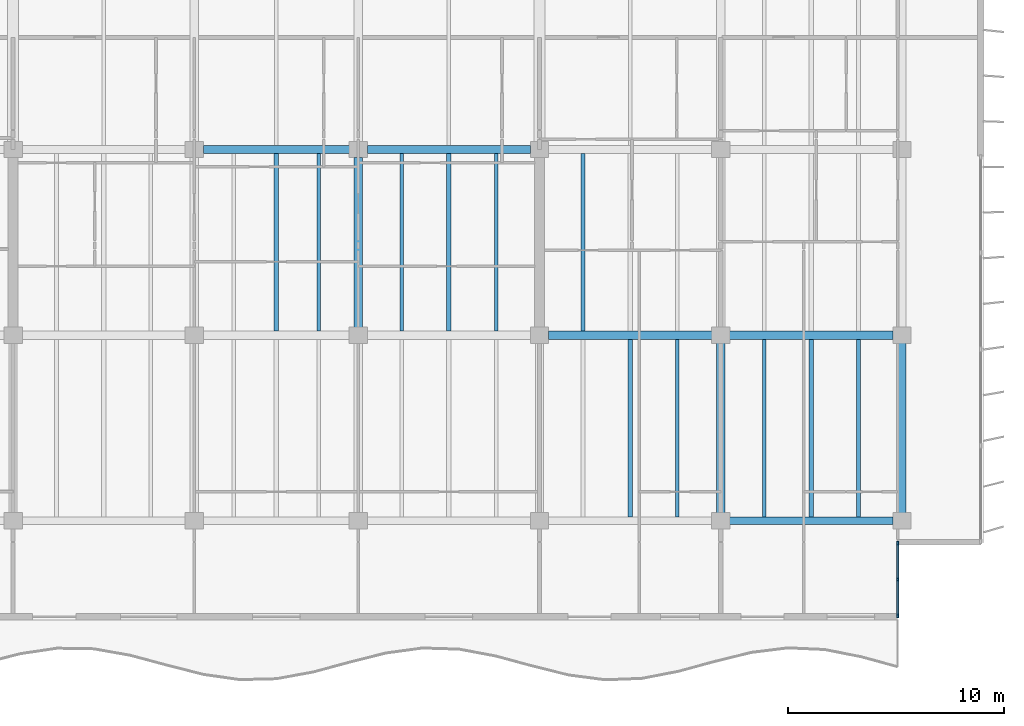
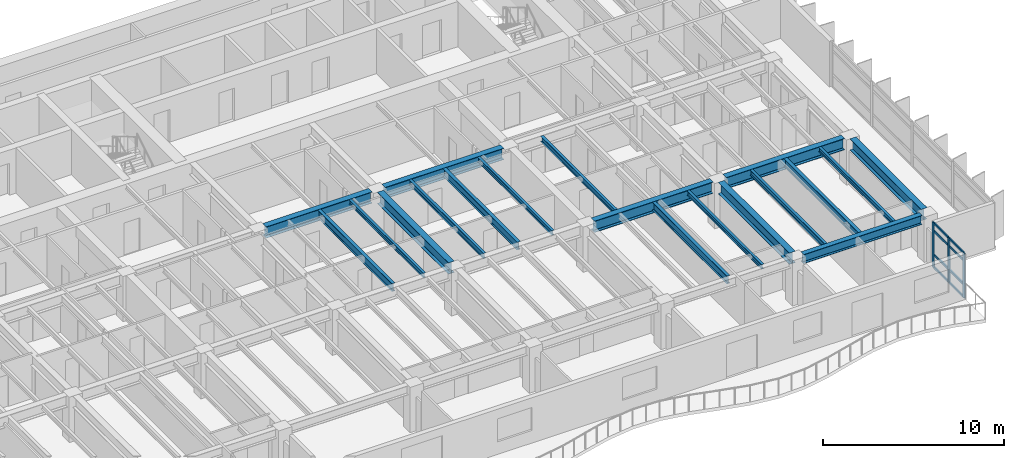
# One storey, part 4 of 18: 19 beams, 11 members, 1 element without a shape of its own.
"""IFC4 building model written with IfcOpenShell, lengths in metres."""

import ifcopenshell
import ifcopenshell.guid

model = None  # the IFC model being written
_history = None  # IfcOwnerHistory: only IFC2X3 demands one
_inside = {}  # id of a spatial element -> (the spatial element, [elements in it])
_under = {}  # id of a project, library or spatial element -> (it, [spatial elements below it])
_declared = {}  # id of a project -> (the project, [libraries it declares])
_typed = {}  # id of a type object -> (the type object, [elements of that type])
_made_of = {}  # id of a material, layer set ... -> (it, [elements and type objects made of it])


def new_model(schema):
    """Start an empty IFC model of exactly this schema.

    Asked for "IFC4X3", IfcOpenShell would pick the latest addendum, in which some entities
    have other attributes; the version numbers below select the first issue.
    IFC2X3 requires an IfcOwnerHistory on every rooted entity: one is made here for all.
    """
    global model, _history
    if schema == "IFC4X3":
        model = ifcopenshell.file(schema_version=(4, 3, 0, 0))
    else:
        model = ifcopenshell.file(schema=schema)
    _inside.clear()
    _under.clear()
    _declared.clear()
    _typed.clear()
    _made_of.clear()
    _history = None
    if model.schema == "IFC2X3":
        org = make("IfcOrganization", Name="unknown")
        user = make(
            "IfcPersonAndOrganization",
            ThePerson=make("IfcPerson", FamilyName="unknown"),
            TheOrganization=org,
        )
        app = make(
            "IfcApplication",
            ApplicationDeveloper=org,
            Version="unknown",
            ApplicationFullName="unknown",
            ApplicationIdentifier="unknown",
        )
        _history = make(
            "IfcOwnerHistory",
            OwningUser=user,
            OwningApplication=app,
            ChangeAction="ADDED",
            CreationDate=0,
        )
    return model


def make(cls, **values):
    """One entity of the class cls with the attributes given. An attribute that is None is left unset."""
    return model.create_entity(
        cls, **{name: value for name, value in values.items() if value is not None}
    )


def rooted(cls, **values):
    """An entity with a GlobalId (a new one), such as an element, a storey or a relation."""
    return make(cls, GlobalId=ifcopenshell.guid.new(), OwnerHistory=_history, **values)


def si_unit(unit_type, name, prefix=None):
    """IfcSIUnit, for example si_unit("LENGTHUNIT", "METRE", prefix="MILLI")."""
    return make("IfcSIUnit", UnitType=unit_type, Prefix=prefix, Name=name)


def assignment(units):
    """IfcUnitAssignment: the units of a project."""
    return None if units is None else make("IfcUnitAssignment", Units=units)


def point(xyz):
    """IfcCartesianPoint."""
    return None if xyz is None else make("IfcCartesianPoint", Coordinates=xyz)


def direction(xyz):
    """IfcDirection."""
    return None if xyz is None else make("IfcDirection", DirectionRatios=xyz)


def frame(location, z_axis=None, x_axis=None):
    """IfcAxis2Placement3D, a coordinate frame: its origin and axes. An axis left out is left unset."""
    return make(
        "IfcAxis2Placement3D",
        Location=point(location),
        Axis=direction(z_axis),
        RefDirection=direction(x_axis),
    )


def frame_2d(location, x_axis=None):
    """IfcAxis2Placement2D, a coordinate frame in the plane: its origin and x axis."""
    return make(
        "IfcAxis2Placement2D", Location=point(location), RefDirection=direction(x_axis)
    )


def origin():
    """The frame at (0, 0, 0) with its axes left unset."""
    return frame((0.0, 0.0, 0.0))


def origin_2d():
    """The frame at (0, 0) in the plane with its x axis left unset."""
    return frame_2d((0.0, 0.0))


def place(relative_to, where):
    """IfcLocalPlacement: puts the frame where relative to a parent placement (None: the world)."""
    return make(
        "IfcLocalPlacement", PlacementRelTo=relative_to, RelativePlacement=where
    )


def context(
    kind, dimensions, precision=None, world=None, true_north=None, identifier=None
):
    """IfcGeometricRepresentationContext, for example the 3D "Model" context."""
    return make(
        "IfcGeometricRepresentationContext",
        ContextIdentifier=identifier,
        ContextType=kind,
        CoordinateSpaceDimension=dimensions,
        Precision=precision,
        WorldCoordinateSystem=world,
        TrueNorth=true_north,
    )


def subcontext(parent, identifier, kind, view, scale=None):
    """IfcGeometricRepresentationSubContext, for example "Body" below "Model"."""
    return make(
        "IfcGeometricRepresentationSubContext",
        ContextIdentifier=identifier,
        ContextType=kind,
        ParentContext=parent,
        TargetScale=scale,
        TargetView=view,
    )


def project(units=None, contexts=None):
    """IfcProject with its units and contexts."""
    return rooted(
        "IfcProject",
        Name="project",
        RepresentationContexts=contexts,
        UnitsInContext=assignment(units),
    )


def spatial(cls, under=None, at=None, **own):
    """A site, building, storey or space (cls), placed at a placement, below another one or the project."""
    s = rooted(cls, ObjectPlacement=at, **own)
    if under is not None:
        _under.setdefault(under.id(), (under, []))[1].append(s)
    return s


def profile(cls, at=None, kind="AREA", **sizes):
    """A parametric profile (cls). Its sizes go by their IFC names, for example OverallWidth=200.0."""
    return make(cls, ProfileType=kind, Position=at, **sizes)


def rectangle(**sizes):
    """IfcRectangleProfileDef."""
    return profile("IfcRectangleProfileDef", **sizes)


def i_section(**sizes):
    """IfcIShapeProfileDef."""
    return profile("IfcIShapeProfileDef", **sizes)


def extrude(swept, where, along, depth):
    """IfcExtrudedAreaSolid: the profile swept, set in the frame where, extruded along a direction by depth."""
    return make(
        "IfcExtrudedAreaSolid",
        SweptArea=swept,
        Position=where,
        ExtrudedDirection=direction(along),
        Depth=depth,
    )


def shape(context_of_items, identifier, shape_type, items):
    """IfcShapeRepresentation: the items that make up one representation, for example the "Body"."""
    return make(
        "IfcShapeRepresentation",
        ContextOfItems=context_of_items,
        RepresentationIdentifier=identifier,
        RepresentationType=shape_type,
        Items=items,
    )


def material(Name=None, Category=None):
    """IfcMaterial."""
    return make("IfcMaterial", Name=Name, Category=Category)


def layer(
    of_material, thickness, ventilated=None, Name=None, Category=None, Priority=None
):
    """IfcMaterialLayer: one layer of a wall or slab, of a material (None: an air gap)."""
    return make(
        "IfcMaterialLayer",
        Material=of_material,
        LayerThickness=thickness,
        IsVentilated=ventilated,
        Name=Name,
        Category=Category,
        Priority=Priority,
    )


def layer_set(layers, Name=None):
    """IfcMaterialLayerSet."""
    return make("IfcMaterialLayerSet", MaterialLayers=layers, LayerSetName=Name)


def material_profile(
    of_material, cross_section, Name=None, Category=None, Priority=None
):
    """IfcMaterialProfile: a cross section and its material."""
    return make(
        "IfcMaterialProfile",
        Name=Name,
        Material=of_material,
        Profile=cross_section,
        Priority=Priority,
        Category=Category,
    )


def profile_set(profiles, Name=None, composite=None):
    """IfcMaterialProfileSet."""
    return make(
        "IfcMaterialProfileSet",
        Name=Name,
        MaterialProfiles=profiles,
        CompositeProfile=composite,
    )


def made_of(thing, what):
    """Note that an element or type object is made of a material, layer set ...; save() writes the relation."""
    if what is not None:
        _made_of.setdefault(what.id(), (what, []))[1].append(thing)
    return thing


def type_object(cls, material=None, **own):
    """A type object (cls), such as IfcWallType, which elements share."""
    return made_of(rooted(cls, **own), material)


def element(
    cls,
    number,
    at=None,
    inside=None,
    cuts=None,
    type_object=None,
    material=None,
    context=None,
    identifier="Body",
    shape_type=None,
    held_by="IfcProductDefinitionShape",
    body=None,
    shapes=None,
    **own,
):
    """One element of the class cls, such as IfcWall. Its Tag is "e" and its number.

    at: its placement. inside: the storey or other place that contains it. cuts: it is an
    opening in that element (IfcRelVoidsElement). A single representation is given by context,
    identifier, shape_type and body (its items); several are given by shapes. held_by: the class
    of the entity that holds the representations. save() writes the other relations.
    """
    e = rooted(cls, Tag="e%d" % number, ObjectPlacement=at, **own)
    if body is not None:
        shapes = [shape(context, identifier, shape_type, body)]
    if shapes is not None:
        e.Representation = make(held_by, Representations=shapes)
    if inside is not None:
        _inside.setdefault(inside.id(), (inside, []))[1].append(e)
    if cuts is not None:
        rooted(
            "IfcRelVoidsElement", RelatingBuildingElement=cuts, RelatedOpeningElement=e
        )
    if type_object is not None:
        _typed.setdefault(type_object.id(), (type_object, []))[1].append(e)
    return made_of(e, material)


def aggregate(whole, parts):
    """IfcRelAggregates: a whole, such as a stair, and the parts it consists of."""
    return rooted("IfcRelAggregates", RelatingObject=whole, RelatedObjects=parts)


def save(model, path):
    """Write the relations noted so far, then the file.

    IfcRelAggregates (storeys below a building ...), IfcRelContainedInSpatialStructure (elements
    in a storey), IfcRelDefinesByType, IfcRelAssociatesMaterial and IfcRelDeclares: one each for
    every whole, place, type object, material and project.
    """
    for whole, parts in _under.values():
        aggregate(whole, parts)
    for where, things in _inside.values():
        rooted(
            "IfcRelContainedInSpatialStructure",
            RelatedElements=things,
            RelatingStructure=where,
        )
    for kind, things in _typed.values():
        rooted("IfcRelDefinesByType", RelatedObjects=things, RelatingType=kind)
    for what, things in _made_of.values():
        rooted("IfcRelAssociatesMaterial", RelatedObjects=things, RelatingMaterial=what)
    for by, libraries in _declared.values():
        rooted("IfcRelDeclares", RelatingContext=by, RelatedDefinitions=libraries)
    model.write(path)


model = new_model("IFC4")

# Units and contexts
model_context = context("Model", 3, precision=1e-05, world=origin(), true_north=direction((0.0, 1.0)))
body_context = subcontext(model_context, "Body", "Model", "MODEL_VIEW")
ifc_project = project(units=[si_unit("LENGTHUNIT", "METRE"), si_unit("AREAUNIT", "SQUARE_METRE"), si_unit("VOLUMEUNIT", "CUBIC_METRE"), si_unit("PLANEANGLEUNIT", "RADIAN"), si_unit("MASSUNIT", "GRAM", prefix="KILO")], contexts=[model_context])

# Site, building, storey
site_placement = place(None, origin())
site = spatial("IfcSite", under=ifc_project, at=site_placement, CompositionType="ELEMENT")
building_placement = place(site_placement, origin())
building = spatial("IfcBuilding", under=site, at=building_placement, Name="Caelmar Bay Residences", CompositionType="ELEMENT")
storey_placement = place(building_placement, frame((0.0, 0.0, 177.0)))
storey = spatial("IfcBuildingStorey", under=building, at=storey_placement, Name="L49", CompositionType="ELEMENT", Elevation=177.0)

# Beams
ifc_material_1 = material(Name="Steel ASTM A992 Grade 50", Category="steel")
ifc_material_profile_1 = material_profile(ifc_material_1, i_section(OverallWidth=0.381103515625, OverallDepth=0.77197265625, WebThickness=0.0166015625, FlangeThickness=0.027099609375, FilletRadius=0.0166015625, at=origin_2d()), Name="W30X173")
ifc_profile_set_1 = profile_set([ifc_material_profile_1], Name="Steel ASTM A992 Grade 50")
beam_type_1 = type_object("IfcBeamType", Name="BM-GRD-W30X173", PredefinedType="BEAM", material=ifc_profile_set_1)
for number, where, z_axis, x_axis, name in (
    (1, (51.514892578125, 20.800048828125, 2.6640625), (1.0, 0.0, 0.0), (0.0, 1.0, 0.0), "L49 East-West Girder Y=20.80 (51.1-59.5)"),
    (2, (59.9150390625, 20.800048828125, 2.6640625), (1.0, 0.0, 0.0), (0.0, 1.0, 0.0), "L49 East-West Girder Y=20.80 (59.5-67.9)"),
):
    element("IfcBeam", number, at=place(storey_placement, frame(where, z_axis=z_axis, x_axis=x_axis)), inside=storey, type_object=beam_type_1, Name=name, PredefinedType="BEAM", context=body_context, shape_type="SweptSolid", body=[
        extrude(i_section(OverallWidth=0.381103515625, OverallDepth=0.77197265625, WebThickness=0.0166015625, FlangeThickness=0.027099609375, FilletRadius=0.0166015625, at=origin_2d()), origin(), (0.0, 0.0, 1.0), 7.570068359375),
    ])
beam_1_placement = place(storey_placement, frame((35.514892578125, 29.39990234375, 2.6640625), z_axis=(1.0, 0.0, 0.0), x_axis=(0.0, 1.0, 0.0)))
element("IfcBeam", 3, at=beam_1_placement, inside=storey, type_object=beam_type_1, Name="L49 East-West Girder Y=29.40 (35.1-42.7)", PredefinedType="BEAM", context=body_context, shape_type="SweptSolid", body=[
    extrude(i_section(OverallWidth=0.381103515625, OverallDepth=0.77197265625, WebThickness=0.0166015625, FlangeThickness=0.027099609375, FilletRadius=0.0166015625, at=origin_2d()), origin(), (0.0, 0.0, 1.0), 6.77001953125),
])
beam_2_placement = place(storey_placement, frame((43.114990234375, 29.39990234375, 2.6640625), z_axis=(1.0, 0.0, 0.0), x_axis=(0.0, 1.0, 0.0)))
element("IfcBeam", 4, at=beam_2_placement, inside=storey, type_object=beam_type_1, Name="L49 East-West Girder Y=29.40 (42.7-51.1)", PredefinedType="BEAM", context=body_context, shape_type="SweptSolid", body=[
    extrude(i_section(OverallWidth=0.381103515625, OverallDepth=0.77197265625, WebThickness=0.0166015625, FlangeThickness=0.027099609375, FilletRadius=0.0166015625, at=origin_2d()), origin(), (0.0, 0.0, 1.0), 7.570068359375),
])
beam_3_placement = place(storey_placement, frame((42.699951171875, 21.1650390625, 2.6640625), z_axis=(0.0, 1.0, 0.0), x_axis=(-1.0, 0.0, 0.0)))
element("IfcBeam", 5, at=beam_3_placement, inside=storey, type_object=beam_type_1, Name="L49 North-South Girder X=42.70 (20.8-29.4)", PredefinedType="BEAM", context=body_context, shape_type="SweptSolid", body=[
    extrude(i_section(OverallWidth=0.381103515625, OverallDepth=0.77197265625, WebThickness=0.0166015625, FlangeThickness=0.027099609375, FilletRadius=0.0166015625, at=origin_2d()), origin(), (0.0, 0.0, 1.0), 7.869873046875),
])
for number, where, z_axis, x_axis, name in (
    (6, (59.5, 12.56494140625, 2.6640625), (0.0, 1.0, 0.0), (-1.0, 0.0, 0.0), "L49 North-South Girder X=59.50 (12.2-20.8)"),
    (7, (67.89990234375, 12.56494140625, 2.6640625), (0.0, 1.0, 0.0), (-1.0, 0.0, 0.0), "L49 North-South Girder X=67.90 (12.2-20.8)"),
):
    element("IfcBeam", number, at=place(storey_placement, frame(where, z_axis=z_axis, x_axis=x_axis)), inside=storey, type_object=beam_type_1, Name=name, PredefinedType="BEAM", context=body_context, shape_type="SweptSolid", body=[
        extrude(i_section(OverallWidth=0.381103515625, OverallDepth=0.77197265625, WebThickness=0.0166015625, FlangeThickness=0.027099609375, FilletRadius=0.0166015625, at=origin_2d()), origin(), (0.0, 0.0, 1.0), 7.8701171875),
    ])
ifc_material_profile_2 = material_profile(ifc_material_1, i_section(OverallWidth=0.1650390625, OverallDepth=0.31005859375, WebThickness=0.005859375, FlangeThickness=0.009765625, FilletRadius=0.007568359375, at=origin_2d()), Name="W12X26")
ifc_profile_set_2 = profile_set([ifc_material_profile_2], Name="Steel ASTM A992 Grade 50")
beam_type_2 = type_object("IfcBeamType", Name="BM-JST-W12X26", PredefinedType="JOIST", material=ifc_profile_set_2)
for number, where, z_axis, x_axis, name in (
    (8, (57.48388671875, 12.362548828125, 2.89501953125), (0.0, 1.0, 0.0), (-1.0, 0.0, 0.0), "L49 Composite Floor Joist 18"),
    (9, (65.884033203125, 12.362548828125, 2.89501953125), (0.0, 1.0, 0.0), (-1.0, 0.0, 0.0), "L49 Composite Floor Joist 21"),
):
    element("IfcBeam", number, at=place(storey_placement, frame(where, z_axis=z_axis, x_axis=x_axis)), inside=storey, type_object=beam_type_2, Name=name, PredefinedType="JOIST", context=body_context, shape_type="SweptSolid", body=[
        extrude(i_section(OverallWidth=0.1650390625, OverallDepth=0.31005859375, WebThickness=0.005859375, FlangeThickness=0.009765625, FilletRadius=0.007568359375, at=origin_2d()), origin(), (0.0, 0.0, 1.0), 8.2470703125),
    ])
for number, where, z_axis, x_axis, name in (
    (10, (40.8759765625, 20.990478515625, 2.89501953125), (0.0, 1.0, 0.0), (-1.0, 0.0, 0.0), "L49 Composite Floor Joist 33"),
    (11, (49.083984375, 20.990478515625, 2.89501953125), (0.0, 1.0, 0.0), (-1.0, 0.0, 0.0), "L49 Composite Floor Joist 36"),
):
    element("IfcBeam", number, at=place(storey_placement, frame(where, z_axis=z_axis, x_axis=x_axis)), inside=storey, type_object=beam_type_2, Name=name, PredefinedType="JOIST", context=body_context, shape_type="SweptSolid", body=[
        extrude(i_section(OverallWidth=0.1650390625, OverallDepth=0.31005859375, WebThickness=0.005859375, FlangeThickness=0.009765625, FilletRadius=0.007568359375, at=origin_2d()), origin(), (0.0, 0.0, 1.0), 8.218994140625),
    ])
ifc_material_profile_3 = material_profile(ifc_material_1, i_section(OverallWidth=0.1708984375, OverallDepth=0.35595703125, WebThickness=0.007080078125, FlangeThickness=0.01171875, FilletRadius=0.007568359375, at=origin_2d()), Name="W14X34")
ifc_profile_set_3 = profile_set([ifc_material_profile_3], Name="Steel ASTM A992 Grade 50")
beam_type_3 = type_object("IfcBeamType", Name="BM-JST-W14X34", PredefinedType="JOIST", material=ifc_profile_set_3)
beam_4_placement = place(storey_placement, frame((61.51611328125, 12.362548828125, 2.8720703125), z_axis=(0.0, 1.0, 0.0), x_axis=(-1.0, 0.0, 0.0)))
element("IfcBeam", 12, at=beam_4_placement, inside=storey, type_object=beam_type_3, Name="L49 Composite Floor Joist 19", PredefinedType="JOIST", context=body_context, shape_type="SweptSolid", body=[
    extrude(i_section(OverallWidth=0.1708984375, OverallDepth=0.35595703125, WebThickness=0.007080078125, FlangeThickness=0.01171875, FilletRadius=0.007568359375, at=origin_2d()), origin(), (0.0, 0.0, 1.0), 8.2470703125),
])
for number, where, z_axis, x_axis, name in (
    (13, (44.716064453125, 20.990478515625, 2.8720703125), (0.0, 1.0, 0.0), (-1.0, 0.0, 0.0), "L49 Composite Floor Joist 34"),
    (14, (53.115966796875, 20.990478515625, 2.8720703125), (0.0, 1.0, 0.0), (-1.0, 0.0, 0.0), "L49 Composite Floor Joist 37"),
):
    element("IfcBeam", number, at=place(storey_placement, frame(where, z_axis=z_axis, x_axis=x_axis)), inside=storey, type_object=beam_type_3, Name=name, PredefinedType="JOIST", context=body_context, shape_type="SweptSolid", body=[
        extrude(i_section(OverallWidth=0.1708984375, OverallDepth=0.35595703125, WebThickness=0.007080078125, FlangeThickness=0.01171875, FilletRadius=0.007568359375, at=origin_2d()), origin(), (0.0, 0.0, 1.0), 8.218994140625),
    ])
ifc_material_profile_4 = material_profile(ifc_material_1, i_section(OverallWidth=0.2099609375, OverallDepth=0.535888671875, WebThickness=0.010986328125, FlangeThickness=0.017333984375, FilletRadius=0.0126953125, at=origin_2d()), Name="W21X68")
ifc_profile_set_4 = profile_set([ifc_material_profile_4], Name="Steel ASTM A992 Grade 50")
beam_type_4 = type_object("IfcBeamType", Name="BM-JST-W21X68", PredefinedType="JOIST", material=ifc_profile_set_4)
for number, where, z_axis, x_axis, name in (
    (15, (55.300048828125, 12.362548828125, 2.781982421875), (0.0, 1.0, 0.0), (-1.0, 0.0, 0.0), "L49 Composite Floor Joist 17"),
    (16, (63.699951171875, 12.362548828125, 2.781982421875), (0.0, 1.0, 0.0), (-1.0, 0.0, 0.0), "L49 Composite Floor Joist 20"),
):
    element("IfcBeam", number, at=place(storey_placement, frame(where, z_axis=z_axis, x_axis=x_axis)), inside=storey, type_object=beam_type_4, Name=name, PredefinedType="JOIST", context=body_context, shape_type="SweptSolid", body=[
        extrude(i_section(OverallWidth=0.2099609375, OverallDepth=0.535888671875, WebThickness=0.010986328125, FlangeThickness=0.017333984375, FilletRadius=0.0126953125, at=origin_2d()), origin(), (0.0, 0.0, 1.0), 8.2470703125),
    ])
for number, where, z_axis, x_axis, name in (
    (17, (38.89990234375, 20.990478515625, 2.781982421875), (0.0, 1.0, 0.0), (-1.0, 0.0, 0.0), "L49 Composite Floor Joist 32"),
    (18, (46.89990234375, 20.990478515625, 2.781982421875), (0.0, 1.0, 0.0), (-1.0, 0.0, 0.0), "L49 Composite Floor Joist 35"),
):
    element("IfcBeam", number, at=place(storey_placement, frame(where, z_axis=z_axis, x_axis=x_axis)), inside=storey, type_object=beam_type_4, Name=name, PredefinedType="JOIST", context=body_context, shape_type="SweptSolid", body=[
        extrude(i_section(OverallWidth=0.2099609375, OverallDepth=0.535888671875, WebThickness=0.010986328125, FlangeThickness=0.017333984375, FilletRadius=0.0126953125, at=origin_2d()), origin(), (0.0, 0.0, 1.0), 8.218994140625),
    ])
ifc_material_profile_5 = material_profile(ifc_material_1, i_section(OverallWidth=0.324951171875, OverallDepth=0.616943359375, WebThickness=0.013916015625, FlangeThickness=0.021484375, FilletRadius=0.0126953125, at=origin_2d()), Name="W24X117")
ifc_profile_set_5 = profile_set([ifc_material_profile_5], Name="Steel ASTM A992 Grade 50")
beam_type_5 = type_object("IfcBeamType", Name="BM-SPN-W24X117", PredefinedType="SPANDREL", material=ifc_profile_set_5)
beam_5_placement = place(storey_placement, frame((59.9150390625, 12.199951171875, 2.741455078125), z_axis=(1.0, 0.0, 0.0), x_axis=(0.0, 1.0, 0.0)))
element("IfcBeam", 19, at=beam_5_placement, inside=storey, type_object=beam_type_5, Name="L49 East-West Girder Y=12.20 (59.5-67.9)", PredefinedType="SPANDREL", context=body_context, shape_type="SweptSolid", body=[
    extrude(i_section(OverallWidth=0.324951171875, OverallDepth=0.616943359375, WebThickness=0.013916015625, FlangeThickness=0.021484375, FilletRadius=0.0126953125, at=origin_2d()), origin(), (0.0, 0.0, 1.0), 7.570068359375),
])

# Curtain wall, members
ifc_material_2 = material(Name="Anodised bronze aluminium 6063-T6 and laminated glass", Category="aluminium")
ifc_layer = layer(ifc_material_2, 0.179931640625)
ifc_layer_set = layer_set([ifc_layer], Name="Anodised bronze aluminium 6063-T6 and laminated glass")
curtain_wall_type = type_object("IfcCurtainWallType", Name="CW6-NTC", PredefinedType="NOTDEFINED", material=ifc_layer_set)
curtain_wall_placement = place(storey_placement, origin())
curtain_wall = element("IfcCurtainWall", 20, at=curtain_wall_placement, inside=storey, type_object=curtain_wall_type, Name="CW6 curtain wall L49", PredefinedType="NOTDEFINED")
ifc_material_3 = material(Name="Anodised bronze aluminium 6063-T6", Category="aluminium")
ifc_material_profile_6 = material_profile(ifc_material_3, rectangle(XDim=0.080078125, YDim=0.179931640625, at=origin_2d()), Name="CWM-80X180")
ifc_profile_set_6 = profile_set([ifc_material_profile_6], Name="Anodised bronze aluminium 6063-T6")
member_type_1 = type_object("IfcMemberType", Name="CWM-180", PredefinedType="MULLION", material=ifc_profile_set_6)
member_1_placement = place(storey_placement, frame((67.699951171875, 7.7900390625, 0.0), z_axis=(0.0, 0.0, 1.0), x_axis=(-1.0, 0.0, 0.0)))
member_1 = element("IfcMember", 21, at=member_1_placement, type_object=member_type_1, Name="CW6 mullion 1", PredefinedType="MULLION", context=body_context, shape_type="SweptSolid", body=[
    extrude(rectangle(XDim=0.080078125, YDim=0.179931640625, at=origin_2d()), origin(), (0.0, 0.0, 1.0), 3.050048828125),
])
member_2_placement = place(storey_placement, frame((67.699951171875, 9.47509765625, 0.0), z_axis=(0.0, 0.0, 1.0), x_axis=(-1.0, 0.0, 0.0)))
member_2 = element("IfcMember", 22, at=member_2_placement, type_object=member_type_1, Name="CW6 mullion 2", PredefinedType="MULLION", context=body_context, shape_type="SweptSolid", body=[
    extrude(rectangle(XDim=0.080078125, YDim=0.179931640625, at=origin_2d()), origin(), (0.0, 0.0, 1.0), 3.050048828125),
])
member_3_placement = place(storey_placement, frame((67.699951171875, 11.159912109375, 0.0), z_axis=(0.0, 0.0, 1.0), x_axis=(-1.0, 0.0, 0.0)))
member_3 = element("IfcMember", 23, at=member_3_placement, type_object=member_type_1, Name="CW6 mullion 3", PredefinedType="MULLION", context=body_context, shape_type="SweptSolid", body=[
    extrude(rectangle(XDim=0.080078125, YDim=0.179931640625, at=origin_2d()), origin(), (0.0, 0.0, 1.0), 3.050048828125),
])
ifc_material_profile_7 = material_profile(ifc_material_3, rectangle(XDim=0.080078125, YDim=0.139892578125, at=origin_2d()), Name="CWT-80X140")
ifc_profile_set_7 = profile_set([ifc_material_profile_7], Name="Anodised bronze aluminium 6063-T6")
member_type_2 = type_object("IfcMemberType", Name="CWT-140", PredefinedType="NOTDEFINED", material=ifc_profile_set_7)
member_4_placement = place(storey_placement, frame((67.699951171875, 7.830078125, 0.0400390625), z_axis=(0.0, 1.0, 0.0), x_axis=(-1.0, 0.0, 0.0)))
member_4 = element("IfcMember", 24, at=member_4_placement, type_object=member_type_2, Name="CW6 transom 1.1", ObjectType="TRANSOM", PredefinedType="USERDEFINED", context=body_context, shape_type="SweptSolid", body=[
    extrude(rectangle(XDim=0.080078125, YDim=0.139892578125, at=origin_2d()), origin(), (0.0, 0.0, 1.0), 1.60498046875),
])
member_5_placement = place(storey_placement, frame((67.699951171875, 7.830078125, 0.89990234375), z_axis=(0.0, 1.0, 0.0), x_axis=(-1.0, 0.0, 0.0)))
member_5 = element("IfcMember", 25, at=member_5_placement, type_object=member_type_2, Name="CW6 transom 1.2", ObjectType="TRANSOM", PredefinedType="USERDEFINED", context=body_context, shape_type="SweptSolid", body=[
    extrude(rectangle(XDim=0.080078125, YDim=0.139892578125, at=origin_2d()), origin(), (0.0, 0.0, 1.0), 1.60498046875),
])
member_6_placement = place(storey_placement, frame((67.699951171875, 7.830078125, 2.5), z_axis=(0.0, 1.0, 0.0), x_axis=(-1.0, 0.0, 0.0)))
member_6 = element("IfcMember", 26, at=member_6_placement, type_object=member_type_2, Name="CW6 transom 1.3", ObjectType="TRANSOM", PredefinedType="USERDEFINED", context=body_context, shape_type="SweptSolid", body=[
    extrude(rectangle(XDim=0.080078125, YDim=0.139892578125, at=origin_2d()), origin(), (0.0, 0.0, 1.0), 1.60498046875),
])
member_7_placement = place(storey_placement, frame((67.699951171875, 7.830078125, 3.010009765625), z_axis=(0.0, 1.0, 0.0), x_axis=(-1.0, 0.0, 0.0)))
member_7 = element("IfcMember", 27, at=member_7_placement, type_object=member_type_2, Name="CW6 transom 1.4", ObjectType="TRANSOM", PredefinedType="USERDEFINED", context=body_context, shape_type="SweptSolid", body=[
    extrude(rectangle(XDim=0.080078125, YDim=0.139892578125, at=origin_2d()), origin(), (0.0, 0.0, 1.0), 1.60498046875),
])
member_8_placement = place(storey_placement, frame((67.699951171875, 9.514892578125, 0.0400390625), z_axis=(0.0, 1.0, 0.0), x_axis=(-1.0, 0.0, 0.0)))
member_8 = element("IfcMember", 28, at=member_8_placement, type_object=member_type_2, Name="CW6 transom 2.1", ObjectType="TRANSOM", PredefinedType="USERDEFINED", context=body_context, shape_type="SweptSolid", body=[
    extrude(rectangle(XDim=0.080078125, YDim=0.139892578125, at=origin_2d()), origin(), (0.0, 0.0, 1.0), 1.605224609375),
])
member_9_placement = place(storey_placement, frame((67.699951171875, 9.514892578125, 0.89990234375), z_axis=(0.0, 1.0, 0.0), x_axis=(-1.0, 0.0, 0.0)))
member_9 = element("IfcMember", 29, at=member_9_placement, type_object=member_type_2, Name="CW6 transom 2.2", ObjectType="TRANSOM", PredefinedType="USERDEFINED", context=body_context, shape_type="SweptSolid", body=[
    extrude(rectangle(XDim=0.080078125, YDim=0.139892578125, at=origin_2d()), origin(), (0.0, 0.0, 1.0), 1.605224609375),
])
member_10_placement = place(storey_placement, frame((67.699951171875, 9.514892578125, 2.5), z_axis=(0.0, 1.0, 0.0), x_axis=(-1.0, 0.0, 0.0)))
member_10 = element("IfcMember", 30, at=member_10_placement, type_object=member_type_2, Name="CW6 transom 2.3", ObjectType="TRANSOM", PredefinedType="USERDEFINED", context=body_context, shape_type="SweptSolid", body=[
    extrude(rectangle(XDim=0.080078125, YDim=0.139892578125, at=origin_2d()), origin(), (0.0, 0.0, 1.0), 1.605224609375),
])
member_11_placement = place(storey_placement, frame((67.699951171875, 9.514892578125, 3.010009765625), z_axis=(0.0, 1.0, 0.0), x_axis=(-1.0, 0.0, 0.0)))
member_11 = element("IfcMember", 31, at=member_11_placement, type_object=member_type_2, Name="CW6 transom 2.4", ObjectType="TRANSOM", PredefinedType="USERDEFINED", context=body_context, shape_type="SweptSolid", body=[
    extrude(rectangle(XDim=0.080078125, YDim=0.139892578125, at=origin_2d()), origin(), (0.0, 0.0, 1.0), 1.605224609375),
])
aggregate(curtain_wall, [member_1, member_2, member_3, member_4, member_5, member_6, member_7, member_8, member_9, member_10, member_11])

save(model, "model.ifc")
